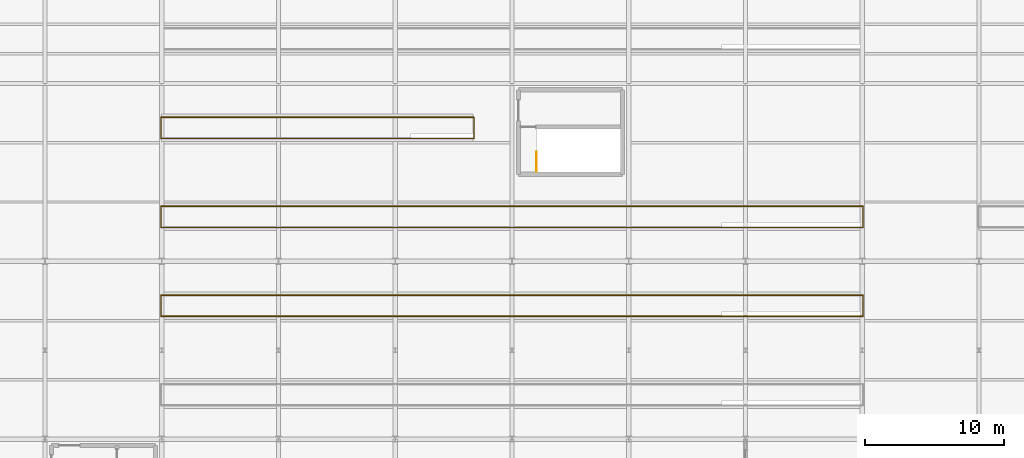
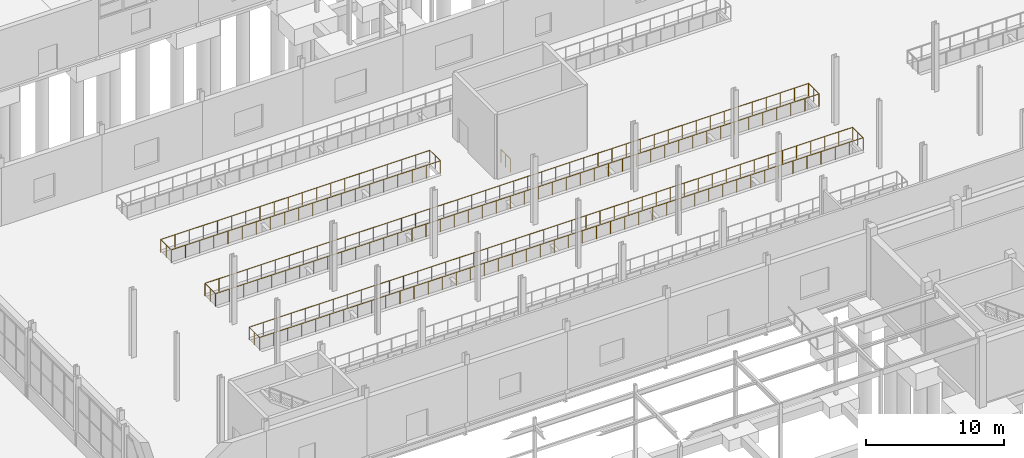
# One storey, part 135 of 139: 4 railings.
"""IFC4 building model written with IfcOpenShell, lengths in metres."""

import ifcopenshell
import ifcopenshell.guid

model = None  # the IFC model being written
_history = None  # IfcOwnerHistory: only IFC2X3 demands one
_inside = {}  # id of a spatial element -> (the spatial element, [elements in it])
_under = {}  # id of a project, library or spatial element -> (it, [spatial elements below it])
_declared = {}  # id of a project -> (the project, [libraries it declares])
_typed = {}  # id of a type object -> (the type object, [elements of that type])
_made_of = {}  # id of a material, layer set ... -> (it, [elements and type objects made of it])


def new_model(schema):
    """Start an empty IFC model of exactly this schema.

    Asked for "IFC4X3", IfcOpenShell would pick the latest addendum, in which some entities
    have other attributes; the version numbers below select the first issue.
    IFC2X3 requires an IfcOwnerHistory on every rooted entity: one is made here for all.
    """
    global model, _history
    if schema == "IFC4X3":
        model = ifcopenshell.file(schema_version=(4, 3, 0, 0))
    else:
        model = ifcopenshell.file(schema=schema)
    _inside.clear()
    _under.clear()
    _declared.clear()
    _typed.clear()
    _made_of.clear()
    _history = None
    if model.schema == "IFC2X3":
        org = make("IfcOrganization", Name="unknown")
        user = make(
            "IfcPersonAndOrganization",
            ThePerson=make("IfcPerson", FamilyName="unknown"),
            TheOrganization=org,
        )
        app = make(
            "IfcApplication",
            ApplicationDeveloper=org,
            Version="unknown",
            ApplicationFullName="unknown",
            ApplicationIdentifier="unknown",
        )
        _history = make(
            "IfcOwnerHistory",
            OwningUser=user,
            OwningApplication=app,
            ChangeAction="ADDED",
            CreationDate=0,
        )
    return model


def make(cls, **values):
    """One entity of the class cls with the attributes given. An attribute that is None is left unset."""
    return model.create_entity(
        cls, **{name: value for name, value in values.items() if value is not None}
    )


def rooted(cls, **values):
    """An entity with a GlobalId (a new one), such as an element, a storey or a relation."""
    return make(cls, GlobalId=ifcopenshell.guid.new(), OwnerHistory=_history, **values)


def si_unit(unit_type, name, prefix=None):
    """IfcSIUnit, for example si_unit("LENGTHUNIT", "METRE", prefix="MILLI")."""
    return make("IfcSIUnit", UnitType=unit_type, Prefix=prefix, Name=name)


def assignment(units):
    """IfcUnitAssignment: the units of a project."""
    return None if units is None else make("IfcUnitAssignment", Units=units)


def point(xyz):
    """IfcCartesianPoint."""
    return None if xyz is None else make("IfcCartesianPoint", Coordinates=xyz)


def direction(xyz):
    """IfcDirection."""
    return None if xyz is None else make("IfcDirection", DirectionRatios=xyz)


def frame(location, z_axis=None, x_axis=None):
    """IfcAxis2Placement3D, a coordinate frame: its origin and axes. An axis left out is left unset."""
    return make(
        "IfcAxis2Placement3D",
        Location=point(location),
        Axis=direction(z_axis),
        RefDirection=direction(x_axis),
    )


def frame_2d(location, x_axis=None):
    """IfcAxis2Placement2D, a coordinate frame in the plane: its origin and x axis."""
    return make(
        "IfcAxis2Placement2D", Location=point(location), RefDirection=direction(x_axis)
    )


def origin():
    """The frame at (0, 0, 0) with its axes left unset."""
    return frame((0.0, 0.0, 0.0))


def origin_2d():
    """The frame at (0, 0) in the plane with its x axis left unset."""
    return frame_2d((0.0, 0.0))


def place(relative_to, where):
    """IfcLocalPlacement: puts the frame where relative to a parent placement (None: the world)."""
    return make(
        "IfcLocalPlacement", PlacementRelTo=relative_to, RelativePlacement=where
    )


def context(
    kind, dimensions, precision=None, world=None, true_north=None, identifier=None
):
    """IfcGeometricRepresentationContext, for example the 3D "Model" context."""
    return make(
        "IfcGeometricRepresentationContext",
        ContextIdentifier=identifier,
        ContextType=kind,
        CoordinateSpaceDimension=dimensions,
        Precision=precision,
        WorldCoordinateSystem=world,
        TrueNorth=true_north,
    )


def subcontext(parent, identifier, kind, view, scale=None):
    """IfcGeometricRepresentationSubContext, for example "Body" below "Model"."""
    return make(
        "IfcGeometricRepresentationSubContext",
        ContextIdentifier=identifier,
        ContextType=kind,
        ParentContext=parent,
        TargetScale=scale,
        TargetView=view,
    )


def project(units=None, contexts=None):
    """IfcProject with its units and contexts."""
    return rooted(
        "IfcProject",
        Name="project",
        RepresentationContexts=contexts,
        UnitsInContext=assignment(units),
    )


def spatial(cls, under=None, at=None, **own):
    """A site, building, storey or space (cls), placed at a placement, below another one or the project."""
    s = rooted(cls, ObjectPlacement=at, **own)
    if under is not None:
        _under.setdefault(under.id(), (under, []))[1].append(s)
    return s


def profile(cls, at=None, kind="AREA", **sizes):
    """A parametric profile (cls). Its sizes go by their IFC names, for example OverallWidth=200.0."""
    return make(cls, ProfileType=kind, Position=at, **sizes)


def circle(**sizes):
    """IfcCircleProfileDef."""
    return profile("IfcCircleProfileDef", **sizes)


def extrude(swept, where, along, depth):
    """IfcExtrudedAreaSolid: the profile swept, set in the frame where, extruded along a direction by depth."""
    return make(
        "IfcExtrudedAreaSolid",
        SweptArea=swept,
        Position=where,
        ExtrudedDirection=direction(along),
        Depth=depth,
    )


def shape(context_of_items, identifier, shape_type, items):
    """IfcShapeRepresentation: the items that make up one representation, for example the "Body"."""
    return make(
        "IfcShapeRepresentation",
        ContextOfItems=context_of_items,
        RepresentationIdentifier=identifier,
        RepresentationType=shape_type,
        Items=items,
    )


def material(Name=None, Category=None):
    """IfcMaterial."""
    return make("IfcMaterial", Name=Name, Category=Category)


def made_of(thing, what):
    """Note that an element or type object is made of a material, layer set ...; save() writes the relation."""
    if what is not None:
        _made_of.setdefault(what.id(), (what, []))[1].append(thing)
    return thing


def type_object(cls, material=None, **own):
    """A type object (cls), such as IfcWallType, which elements share."""
    return made_of(rooted(cls, **own), material)


def element(
    cls,
    number,
    at=None,
    inside=None,
    cuts=None,
    type_object=None,
    material=None,
    context=None,
    identifier="Body",
    shape_type=None,
    held_by="IfcProductDefinitionShape",
    body=None,
    shapes=None,
    **own,
):
    """One element of the class cls, such as IfcWall. Its Tag is "e" and its number.

    at: its placement. inside: the storey or other place that contains it. cuts: it is an
    opening in that element (IfcRelVoidsElement). A single representation is given by context,
    identifier, shape_type and body (its items); several are given by shapes. held_by: the class
    of the entity that holds the representations. save() writes the other relations.
    """
    e = rooted(cls, Tag="e%d" % number, ObjectPlacement=at, **own)
    if body is not None:
        shapes = [shape(context, identifier, shape_type, body)]
    if shapes is not None:
        e.Representation = make(held_by, Representations=shapes)
    if inside is not None:
        _inside.setdefault(inside.id(), (inside, []))[1].append(e)
    if cuts is not None:
        rooted(
            "IfcRelVoidsElement", RelatingBuildingElement=cuts, RelatedOpeningElement=e
        )
    if type_object is not None:
        _typed.setdefault(type_object.id(), (type_object, []))[1].append(e)
    return made_of(e, material)


def aggregate(whole, parts):
    """IfcRelAggregates: a whole, such as a stair, and the parts it consists of."""
    return rooted("IfcRelAggregates", RelatingObject=whole, RelatedObjects=parts)


def save(model, path):
    """Write the relations noted so far, then the file.

    IfcRelAggregates (storeys below a building ...), IfcRelContainedInSpatialStructure (elements
    in a storey), IfcRelDefinesByType, IfcRelAssociatesMaterial and IfcRelDeclares: one each for
    every whole, place, type object, material and project.
    """
    for whole, parts in _under.values():
        aggregate(whole, parts)
    for where, things in _inside.values():
        rooted(
            "IfcRelContainedInSpatialStructure",
            RelatedElements=things,
            RelatingStructure=where,
        )
    for kind, things in _typed.values():
        rooted("IfcRelDefinesByType", RelatedObjects=things, RelatingType=kind)
    for what, things in _made_of.values():
        rooted("IfcRelAssociatesMaterial", RelatedObjects=things, RelatingMaterial=what)
    for by, libraries in _declared.values():
        rooted("IfcRelDeclares", RelatingContext=by, RelatedDefinitions=libraries)
    model.write(path)


model = new_model("IFC4")

# Units and contexts
model_context = context("Model", 3, precision=1e-05, world=origin(), true_north=direction((0.0, 1.0)))
body_context = subcontext(model_context, "Body", "Model", "MODEL_VIEW")
ifc_project = project(units=[si_unit("LENGTHUNIT", "METRE"), si_unit("AREAUNIT", "SQUARE_METRE"), si_unit("VOLUMEUNIT", "CUBIC_METRE"), si_unit("PLANEANGLEUNIT", "RADIAN"), si_unit("MASSUNIT", "GRAM", prefix="KILO")], contexts=[model_context])

# Site, building, storey
site_placement = place(None, origin())
site = spatial("IfcSite", under=ifc_project, at=site_placement, CompositionType="ELEMENT")
building_placement = place(site_placement, origin())
building = spatial("IfcBuilding", under=site, at=building_placement, Name="Kazenagashi Tramway Depot", CompositionType="ELEMENT")
storey_placement = place(building_placement, origin())
storey = spatial("IfcBuildingStorey", under=building, at=storey_placement, Name="L01", CompositionType="ELEMENT", Elevation=0.0)

# Railings
ifc_material = material(Name="Galvanised Painted Steel Balustrade", Category="steel")
railing_type = type_object("IfcRailingType", Name="GR-01", PredefinedType="GUARDRAIL", material=ifc_material)
railing_1_placement = place(storey_placement, frame((61.54, 31.74, 0.0)))
element("IfcRailing", 1, at=railing_1_placement, inside=storey, type_object=railing_type, Name="Inspection Pit 2 Perimeter Guardrail", PredefinedType="GUARDRAIL", context=body_context, shape_type="SweptSolid", body=[
    extrude(circle(Radius=0.024, at=origin_2d()), frame((0.0, 0.0, 1.126), z_axis=(1.0, 0.0, 0.0), x_axis=(0.0, 1.0, 0.0)), (0.0, 0.0, 1.0), 50.52),
    extrude(circle(Radius=0.024, at=origin_2d()), frame((50.52, 0.0, 1.126), z_axis=(0.0, 1.0, 0.0), x_axis=(-1.0, 0.0, 0.0)), (0.0, 0.0, 1.0), 1.52),
    extrude(circle(Radius=0.024, at=origin_2d()), frame((50.52, 1.52, 1.126), z_axis=(-1.0, 0.0, 0.0), x_axis=(0.0, -1.0, 0.0)), (0.0, 0.0, 1.0), 50.52),
    extrude(circle(Radius=0.024, at=origin_2d()), frame((0.0, 1.52, 1.126), z_axis=(0.0, -1.0, 0.0), x_axis=(1.0, 0.0, 0.0)), (0.0, 0.0, 1.0), 1.52),
    extrude(circle(Radius=0.021, at=origin_2d()), origin(), (0.0, 0.0, 1.0), 1.102),
    extrude(circle(Radius=0.021, at=origin_2d()), frame((1.174884, 0.0, 0.0)), (0.0, 0.0, 1.0), 1.102),
    extrude(circle(Radius=0.021, at=origin_2d()), frame((2.349767, 0.0, 0.0)), (0.0, 0.0, 1.0), 1.102),
    extrude(circle(Radius=0.021, at=origin_2d()), frame((3.524651, 0.0, 0.0)), (0.0, 0.0, 1.0), 1.102),
    extrude(circle(Radius=0.021, at=origin_2d()), frame((4.699535, 0.0, 0.0)), (0.0, 0.0, 1.0), 1.102),
    extrude(circle(Radius=0.021, at=origin_2d()), frame((5.874419, 0.0, 0.0)), (0.0, 0.0, 1.0), 1.102),
    extrude(circle(Radius=0.021, at=origin_2d()), frame((7.049302, 0.0, 0.0)), (0.0, 0.0, 1.0), 1.102),
    extrude(circle(Radius=0.021, at=origin_2d()), frame((8.224186, 0.0, 0.0)), (0.0, 0.0, 1.0), 1.102),
    extrude(circle(Radius=0.021, at=origin_2d()), frame((9.39907, 0.0, 0.0)), (0.0, 0.0, 1.0), 1.102),
    extrude(circle(Radius=0.021, at=origin_2d()), frame((10.573953, 0.0, 0.0)), (0.0, 0.0, 1.0), 1.102),
    extrude(circle(Radius=0.021, at=origin_2d()), frame((11.748837, 0.0, 0.0)), (0.0, 0.0, 1.0), 1.102),
    extrude(circle(Radius=0.021, at=origin_2d()), frame((12.923721, 0.0, 0.0)), (0.0, 0.0, 1.0), 1.102),
    extrude(circle(Radius=0.021, at=origin_2d()), frame((14.098605, 0.0, 0.0)), (0.0, 0.0, 1.0), 1.102),
    extrude(circle(Radius=0.021, at=origin_2d()), frame((15.273488, 0.0, 0.0)), (0.0, 0.0, 1.0), 1.102),
    extrude(circle(Radius=0.021, at=origin_2d()), frame((16.448372, 0.0, 0.0)), (0.0, 0.0, 1.0), 1.102),
    extrude(circle(Radius=0.021, at=origin_2d()), frame((17.623256, 0.0, 0.0)), (0.0, 0.0, 1.0), 1.102),
    extrude(circle(Radius=0.021, at=origin_2d()), frame((18.79814, 0.0, 0.0)), (0.0, 0.0, 1.0), 1.102),
    extrude(circle(Radius=0.021, at=origin_2d()), frame((19.973023, 0.0, 0.0)), (0.0, 0.0, 1.0), 1.102),
    extrude(circle(Radius=0.021, at=origin_2d()), frame((21.147907, 0.0, 0.0)), (0.0, 0.0, 1.0), 1.102),
    extrude(circle(Radius=0.021, at=origin_2d()), frame((22.322791, 0.0, 0.0)), (0.0, 0.0, 1.0), 1.102),
    extrude(circle(Radius=0.021, at=origin_2d()), frame((23.497674, 0.0, 0.0)), (0.0, 0.0, 1.0), 1.102),
    extrude(circle(Radius=0.021, at=origin_2d()), frame((24.672558, 0.0, 0.0)), (0.0, 0.0, 1.0), 1.102),
    extrude(circle(Radius=0.021, at=origin_2d()), frame((25.847442, 0.0, 0.0)), (0.0, 0.0, 1.0), 1.102),
    extrude(circle(Radius=0.021, at=origin_2d()), frame((27.022326, 0.0, 0.0)), (0.0, 0.0, 1.0), 1.102),
    extrude(circle(Radius=0.021, at=origin_2d()), frame((28.197209, 0.0, 0.0)), (0.0, 0.0, 1.0), 1.102),
    extrude(circle(Radius=0.021, at=origin_2d()), frame((29.372093, 0.0, 0.0)), (0.0, 0.0, 1.0), 1.102),
    extrude(circle(Radius=0.021, at=origin_2d()), frame((30.546977, 0.0, 0.0)), (0.0, 0.0, 1.0), 1.102),
    extrude(circle(Radius=0.021, at=origin_2d()), frame((31.72186, 0.0, 0.0)), (0.0, 0.0, 1.0), 1.102),
    extrude(circle(Radius=0.021, at=origin_2d()), frame((32.896744, 0.0, 0.0)), (0.0, 0.0, 1.0), 1.102),
    extrude(circle(Radius=0.021, at=origin_2d()), frame((34.071628, 0.0, 0.0)), (0.0, 0.0, 1.0), 1.102),
    extrude(circle(Radius=0.021, at=origin_2d()), frame((35.246512, 0.0, 0.0)), (0.0, 0.0, 1.0), 1.102),
    extrude(circle(Radius=0.021, at=origin_2d()), frame((36.421395, 0.0, 0.0)), (0.0, 0.0, 1.0), 1.102),
    extrude(circle(Radius=0.021, at=origin_2d()), frame((37.596279, 0.0, 0.0)), (0.0, 0.0, 1.0), 1.102),
    extrude(circle(Radius=0.021, at=origin_2d()), frame((38.771163, 0.0, 0.0)), (0.0, 0.0, 1.0), 1.102),
    extrude(circle(Radius=0.021, at=origin_2d()), frame((39.946047, 0.0, 0.0)), (0.0, 0.0, 1.0), 1.102),
    extrude(circle(Radius=0.021, at=origin_2d()), frame((41.12093, 0.0, 0.0)), (0.0, 0.0, 1.0), 1.102),
    extrude(circle(Radius=0.021, at=origin_2d()), frame((42.295814, 0.0, 0.0)), (0.0, 0.0, 1.0), 1.102),
    extrude(circle(Radius=0.021, at=origin_2d()), frame((43.470698, 0.0, 0.0)), (0.0, 0.0, 1.0), 1.102),
    extrude(circle(Radius=0.021, at=origin_2d()), frame((44.645581, 0.0, 0.0)), (0.0, 0.0, 1.0), 1.102),
    extrude(circle(Radius=0.021, at=origin_2d()), frame((45.820465, 0.0, 0.0)), (0.0, 0.0, 1.0), 1.102),
    extrude(circle(Radius=0.021, at=origin_2d()), frame((46.995349, 0.0, 0.0)), (0.0, 0.0, 1.0), 1.102),
    extrude(circle(Radius=0.021, at=origin_2d()), frame((48.170233, 0.0, 0.0)), (0.0, 0.0, 1.0), 1.102),
    extrude(circle(Radius=0.021, at=origin_2d()), frame((49.345116, 0.0, 0.0)), (0.0, 0.0, 1.0), 1.102),
    extrude(circle(Radius=0.021, at=origin_2d()), frame((50.52, 0.0, 0.0)), (0.0, 0.0, 1.0), 1.102),
    extrude(circle(Radius=0.021, at=origin_2d()), frame((50.52, 0.76, 0.0)), (0.0, 0.0, 1.0), 1.102),
    extrude(circle(Radius=0.021, at=origin_2d()), frame((50.52, 1.52, 0.0)), (0.0, 0.0, 1.0), 1.102),
    extrude(circle(Radius=0.021, at=origin_2d()), frame((49.345116, 1.52, 0.0)), (0.0, 0.0, 1.0), 1.102),
    extrude(circle(Radius=0.021, at=origin_2d()), frame((48.170233, 1.52, 0.0)), (0.0, 0.0, 1.0), 1.102),
    extrude(circle(Radius=0.021, at=origin_2d()), frame((46.995349, 1.52, 0.0)), (0.0, 0.0, 1.0), 1.102),
    extrude(circle(Radius=0.021, at=origin_2d()), frame((45.820465, 1.52, 0.0)), (0.0, 0.0, 1.0), 1.102),
    extrude(circle(Radius=0.021, at=origin_2d()), frame((44.645581, 1.52, 0.0)), (0.0, 0.0, 1.0), 1.102),
    extrude(circle(Radius=0.021, at=origin_2d()), frame((43.470698, 1.52, 0.0)), (0.0, 0.0, 1.0), 1.102),
    extrude(circle(Radius=0.021, at=origin_2d()), frame((42.295814, 1.52, 0.0)), (0.0, 0.0, 1.0), 1.102),
    extrude(circle(Radius=0.021, at=origin_2d()), frame((41.12093, 1.52, 0.0)), (0.0, 0.0, 1.0), 1.102),
    extrude(circle(Radius=0.021, at=origin_2d()), frame((39.946047, 1.52, 0.0)), (0.0, 0.0, 1.0), 1.102),
    extrude(circle(Radius=0.021, at=origin_2d()), frame((38.771163, 1.52, 0.0)), (0.0, 0.0, 1.0), 1.102),
    extrude(circle(Radius=0.021, at=origin_2d()), frame((37.596279, 1.52, 0.0)), (0.0, 0.0, 1.0), 1.102),
    extrude(circle(Radius=0.021, at=origin_2d()), frame((36.421395, 1.52, 0.0)), (0.0, 0.0, 1.0), 1.102),
    extrude(circle(Radius=0.021, at=origin_2d()), frame((35.246512, 1.52, 0.0)), (0.0, 0.0, 1.0), 1.102),
    extrude(circle(Radius=0.021, at=origin_2d()), frame((34.071628, 1.52, 0.0)), (0.0, 0.0, 1.0), 1.102),
    extrude(circle(Radius=0.021, at=origin_2d()), frame((32.896744, 1.52, 0.0)), (0.0, 0.0, 1.0), 1.102),
    extrude(circle(Radius=0.021, at=origin_2d()), frame((31.72186, 1.52, 0.0)), (0.0, 0.0, 1.0), 1.102),
    extrude(circle(Radius=0.021, at=origin_2d()), frame((30.546977, 1.52, 0.0)), (0.0, 0.0, 1.0), 1.102),
    extrude(circle(Radius=0.021, at=origin_2d()), frame((29.372093, 1.52, 0.0)), (0.0, 0.0, 1.0), 1.102),
    extrude(circle(Radius=0.021, at=origin_2d()), frame((28.197209, 1.52, 0.0)), (0.0, 0.0, 1.0), 1.102),
    extrude(circle(Radius=0.021, at=origin_2d()), frame((27.022326, 1.52, 0.0)), (0.0, 0.0, 1.0), 1.102),
    extrude(circle(Radius=0.021, at=origin_2d()), frame((25.847442, 1.52, 0.0)), (0.0, 0.0, 1.0), 1.102),
    extrude(circle(Radius=0.021, at=origin_2d()), frame((24.672558, 1.52, 0.0)), (0.0, 0.0, 1.0), 1.102),
    extrude(circle(Radius=0.021, at=origin_2d()), frame((23.497674, 1.52, 0.0)), (0.0, 0.0, 1.0), 1.102),
    extrude(circle(Radius=0.021, at=origin_2d()), frame((22.322791, 1.52, 0.0)), (0.0, 0.0, 1.0), 1.102),
    extrude(circle(Radius=0.021, at=origin_2d()), frame((21.147907, 1.52, 0.0)), (0.0, 0.0, 1.0), 1.102),
    extrude(circle(Radius=0.021, at=origin_2d()), frame((19.973023, 1.52, 0.0)), (0.0, 0.0, 1.0), 1.102),
    extrude(circle(Radius=0.021, at=origin_2d()), frame((18.79814, 1.52, 0.0)), (0.0, 0.0, 1.0), 1.102),
    extrude(circle(Radius=0.021, at=origin_2d()), frame((17.623256, 1.52, 0.0)), (0.0, 0.0, 1.0), 1.102),
    extrude(circle(Radius=0.021, at=origin_2d()), frame((16.448372, 1.52, 0.0)), (0.0, 0.0, 1.0), 1.102),
    extrude(circle(Radius=0.021, at=origin_2d()), frame((15.273488, 1.52, 0.0)), (0.0, 0.0, 1.0), 1.102),
    extrude(circle(Radius=0.021, at=origin_2d()), frame((14.098605, 1.52, 0.0)), (0.0, 0.0, 1.0), 1.102),
    extrude(circle(Radius=0.021, at=origin_2d()), frame((12.923721, 1.52, 0.0)), (0.0, 0.0, 1.0), 1.102),
    extrude(circle(Radius=0.021, at=origin_2d()), frame((11.748837, 1.52, 0.0)), (0.0, 0.0, 1.0), 1.102),
    extrude(circle(Radius=0.021, at=origin_2d()), frame((10.573953, 1.52, 0.0)), (0.0, 0.0, 1.0), 1.102),
    extrude(circle(Radius=0.021, at=origin_2d()), frame((9.39907, 1.52, 0.0)), (0.0, 0.0, 1.0), 1.102),
    extrude(circle(Radius=0.021, at=origin_2d()), frame((8.224186, 1.52, 0.0)), (0.0, 0.0, 1.0), 1.102),
    extrude(circle(Radius=0.021, at=origin_2d()), frame((7.049302, 1.52, 0.0)), (0.0, 0.0, 1.0), 1.102),
    extrude(circle(Radius=0.021, at=origin_2d()), frame((5.874419, 1.52, 0.0)), (0.0, 0.0, 1.0), 1.102),
    extrude(circle(Radius=0.021, at=origin_2d()), frame((4.699535, 1.52, 0.0)), (0.0, 0.0, 1.0), 1.102),
    extrude(circle(Radius=0.021, at=origin_2d()), frame((3.524651, 1.52, 0.0)), (0.0, 0.0, 1.0), 1.102),
    extrude(circle(Radius=0.021, at=origin_2d()), frame((2.349767, 1.52, 0.0)), (0.0, 0.0, 1.0), 1.102),
    extrude(circle(Radius=0.021, at=origin_2d()), frame((1.174884, 1.52, 0.0)), (0.0, 0.0, 1.0), 1.102),
    extrude(circle(Radius=0.021, at=origin_2d()), frame((0.0, 1.52, 0.0)), (0.0, 0.0, 1.0), 1.102),
    extrude(circle(Radius=0.021, at=origin_2d()), frame((0.0, 0.76, 0.0)), (0.0, 0.0, 1.0), 1.102),
])
railing_2_placement = place(storey_placement, frame((61.54, 38.14, 0.0)))
element("IfcRailing", 2, at=railing_2_placement, inside=storey, type_object=railing_type, Name="Inspection Pit 3 Perimeter Guardrail", PredefinedType="GUARDRAIL", context=body_context, shape_type="SweptSolid", body=[
    extrude(circle(Radius=0.024, at=origin_2d()), frame((0.0, 0.0, 1.126), z_axis=(1.0, 0.0, 0.0), x_axis=(0.0, 1.0, 0.0)), (0.0, 0.0, 1.0), 50.52),
    extrude(circle(Radius=0.024, at=origin_2d()), frame((50.52, 0.0, 1.126), z_axis=(0.0, 1.0, 0.0), x_axis=(-1.0, 0.0, 0.0)), (0.0, 0.0, 1.0), 1.52),
    extrude(circle(Radius=0.024, at=origin_2d()), frame((50.52, 1.52, 1.126), z_axis=(-1.0, 0.0, 0.0), x_axis=(0.0, -1.0, 0.0)), (0.0, 0.0, 1.0), 50.52),
    extrude(circle(Radius=0.024, at=origin_2d()), frame((0.0, 1.52, 1.126), z_axis=(0.0, -1.0, 0.0), x_axis=(1.0, 0.0, 0.0)), (0.0, 0.0, 1.0), 1.52),
    extrude(circle(Radius=0.021, at=origin_2d()), origin(), (0.0, 0.0, 1.0), 1.102),
    extrude(circle(Radius=0.021, at=origin_2d()), frame((1.174884, 0.0, 0.0)), (0.0, 0.0, 1.0), 1.102),
    extrude(circle(Radius=0.021, at=origin_2d()), frame((2.349767, 0.0, 0.0)), (0.0, 0.0, 1.0), 1.102),
    extrude(circle(Radius=0.021, at=origin_2d()), frame((3.524651, 0.0, 0.0)), (0.0, 0.0, 1.0), 1.102),
    extrude(circle(Radius=0.021, at=origin_2d()), frame((4.699535, 0.0, 0.0)), (0.0, 0.0, 1.0), 1.102),
    extrude(circle(Radius=0.021, at=origin_2d()), frame((5.874419, 0.0, 0.0)), (0.0, 0.0, 1.0), 1.102),
    extrude(circle(Radius=0.021, at=origin_2d()), frame((7.049302, 0.0, 0.0)), (0.0, 0.0, 1.0), 1.102),
    extrude(circle(Radius=0.021, at=origin_2d()), frame((8.224186, 0.0, 0.0)), (0.0, 0.0, 1.0), 1.102),
    extrude(circle(Radius=0.021, at=origin_2d()), frame((9.39907, 0.0, 0.0)), (0.0, 0.0, 1.0), 1.102),
    extrude(circle(Radius=0.021, at=origin_2d()), frame((10.573953, 0.0, 0.0)), (0.0, 0.0, 1.0), 1.102),
    extrude(circle(Radius=0.021, at=origin_2d()), frame((11.748837, 0.0, 0.0)), (0.0, 0.0, 1.0), 1.102),
    extrude(circle(Radius=0.021, at=origin_2d()), frame((12.923721, 0.0, 0.0)), (0.0, 0.0, 1.0), 1.102),
    extrude(circle(Radius=0.021, at=origin_2d()), frame((14.098605, 0.0, 0.0)), (0.0, 0.0, 1.0), 1.102),
    extrude(circle(Radius=0.021, at=origin_2d()), frame((15.273488, 0.0, 0.0)), (0.0, 0.0, 1.0), 1.102),
    extrude(circle(Radius=0.021, at=origin_2d()), frame((16.448372, 0.0, 0.0)), (0.0, 0.0, 1.0), 1.102),
    extrude(circle(Radius=0.021, at=origin_2d()), frame((17.623256, 0.0, 0.0)), (0.0, 0.0, 1.0), 1.102),
    extrude(circle(Radius=0.021, at=origin_2d()), frame((18.79814, 0.0, 0.0)), (0.0, 0.0, 1.0), 1.102),
    extrude(circle(Radius=0.021, at=origin_2d()), frame((19.973023, 0.0, 0.0)), (0.0, 0.0, 1.0), 1.102),
    extrude(circle(Radius=0.021, at=origin_2d()), frame((21.147907, 0.0, 0.0)), (0.0, 0.0, 1.0), 1.102),
    extrude(circle(Radius=0.021, at=origin_2d()), frame((22.322791, 0.0, 0.0)), (0.0, 0.0, 1.0), 1.102),
    extrude(circle(Radius=0.021, at=origin_2d()), frame((23.497674, 0.0, 0.0)), (0.0, 0.0, 1.0), 1.102),
    extrude(circle(Radius=0.021, at=origin_2d()), frame((24.672558, 0.0, 0.0)), (0.0, 0.0, 1.0), 1.102),
    extrude(circle(Radius=0.021, at=origin_2d()), frame((25.847442, 0.0, 0.0)), (0.0, 0.0, 1.0), 1.102),
    extrude(circle(Radius=0.021, at=origin_2d()), frame((27.022326, 0.0, 0.0)), (0.0, 0.0, 1.0), 1.102),
    extrude(circle(Radius=0.021, at=origin_2d()), frame((28.197209, 0.0, 0.0)), (0.0, 0.0, 1.0), 1.102),
    extrude(circle(Radius=0.021, at=origin_2d()), frame((29.372093, 0.0, 0.0)), (0.0, 0.0, 1.0), 1.102),
    extrude(circle(Radius=0.021, at=origin_2d()), frame((30.546977, 0.0, 0.0)), (0.0, 0.0, 1.0), 1.102),
    extrude(circle(Radius=0.021, at=origin_2d()), frame((31.72186, 0.0, 0.0)), (0.0, 0.0, 1.0), 1.102),
    extrude(circle(Radius=0.021, at=origin_2d()), frame((32.896744, 0.0, 0.0)), (0.0, 0.0, 1.0), 1.102),
    extrude(circle(Radius=0.021, at=origin_2d()), frame((34.071628, 0.0, 0.0)), (0.0, 0.0, 1.0), 1.102),
    extrude(circle(Radius=0.021, at=origin_2d()), frame((35.246512, 0.0, 0.0)), (0.0, 0.0, 1.0), 1.102),
    extrude(circle(Radius=0.021, at=origin_2d()), frame((36.421395, 0.0, 0.0)), (0.0, 0.0, 1.0), 1.102),
    extrude(circle(Radius=0.021, at=origin_2d()), frame((37.596279, 0.0, 0.0)), (0.0, 0.0, 1.0), 1.102),
    extrude(circle(Radius=0.021, at=origin_2d()), frame((38.771163, 0.0, 0.0)), (0.0, 0.0, 1.0), 1.102),
    extrude(circle(Radius=0.021, at=origin_2d()), frame((39.946047, 0.0, 0.0)), (0.0, 0.0, 1.0), 1.102),
    extrude(circle(Radius=0.021, at=origin_2d()), frame((41.12093, 0.0, 0.0)), (0.0, 0.0, 1.0), 1.102),
    extrude(circle(Radius=0.021, at=origin_2d()), frame((42.295814, 0.0, 0.0)), (0.0, 0.0, 1.0), 1.102),
    extrude(circle(Radius=0.021, at=origin_2d()), frame((43.470698, 0.0, 0.0)), (0.0, 0.0, 1.0), 1.102),
    extrude(circle(Radius=0.021, at=origin_2d()), frame((44.645581, 0.0, 0.0)), (0.0, 0.0, 1.0), 1.102),
    extrude(circle(Radius=0.021, at=origin_2d()), frame((45.820465, 0.0, 0.0)), (0.0, 0.0, 1.0), 1.102),
    extrude(circle(Radius=0.021, at=origin_2d()), frame((46.995349, 0.0, 0.0)), (0.0, 0.0, 1.0), 1.102),
    extrude(circle(Radius=0.021, at=origin_2d()), frame((48.170233, 0.0, 0.0)), (0.0, 0.0, 1.0), 1.102),
    extrude(circle(Radius=0.021, at=origin_2d()), frame((49.345116, 0.0, 0.0)), (0.0, 0.0, 1.0), 1.102),
    extrude(circle(Radius=0.021, at=origin_2d()), frame((50.52, 0.0, 0.0)), (0.0, 0.0, 1.0), 1.102),
    extrude(circle(Radius=0.021, at=origin_2d()), frame((50.52, 0.76, 0.0)), (0.0, 0.0, 1.0), 1.102),
    extrude(circle(Radius=0.021, at=origin_2d()), frame((50.52, 1.52, 0.0)), (0.0, 0.0, 1.0), 1.102),
    extrude(circle(Radius=0.021, at=origin_2d()), frame((49.345116, 1.52, 0.0)), (0.0, 0.0, 1.0), 1.102),
    extrude(circle(Radius=0.021, at=origin_2d()), frame((48.170233, 1.52, 0.0)), (0.0, 0.0, 1.0), 1.102),
    extrude(circle(Radius=0.021, at=origin_2d()), frame((46.995349, 1.52, 0.0)), (0.0, 0.0, 1.0), 1.102),
    extrude(circle(Radius=0.021, at=origin_2d()), frame((45.820465, 1.52, 0.0)), (0.0, 0.0, 1.0), 1.102),
    extrude(circle(Radius=0.021, at=origin_2d()), frame((44.645581, 1.52, 0.0)), (0.0, 0.0, 1.0), 1.102),
    extrude(circle(Radius=0.021, at=origin_2d()), frame((43.470698, 1.52, 0.0)), (0.0, 0.0, 1.0), 1.102),
    extrude(circle(Radius=0.021, at=origin_2d()), frame((42.295814, 1.52, 0.0)), (0.0, 0.0, 1.0), 1.102),
    extrude(circle(Radius=0.021, at=origin_2d()), frame((41.12093, 1.52, 0.0)), (0.0, 0.0, 1.0), 1.102),
    extrude(circle(Radius=0.021, at=origin_2d()), frame((39.946047, 1.52, 0.0)), (0.0, 0.0, 1.0), 1.102),
    extrude(circle(Radius=0.021, at=origin_2d()), frame((38.771163, 1.52, 0.0)), (0.0, 0.0, 1.0), 1.102),
    extrude(circle(Radius=0.021, at=origin_2d()), frame((37.596279, 1.52, 0.0)), (0.0, 0.0, 1.0), 1.102),
    extrude(circle(Radius=0.021, at=origin_2d()), frame((36.421395, 1.52, 0.0)), (0.0, 0.0, 1.0), 1.102),
    extrude(circle(Radius=0.021, at=origin_2d()), frame((35.246512, 1.52, 0.0)), (0.0, 0.0, 1.0), 1.102),
    extrude(circle(Radius=0.021, at=origin_2d()), frame((34.071628, 1.52, 0.0)), (0.0, 0.0, 1.0), 1.102),
    extrude(circle(Radius=0.021, at=origin_2d()), frame((32.896744, 1.52, 0.0)), (0.0, 0.0, 1.0), 1.102),
    extrude(circle(Radius=0.021, at=origin_2d()), frame((31.72186, 1.52, 0.0)), (0.0, 0.0, 1.0), 1.102),
    extrude(circle(Radius=0.021, at=origin_2d()), frame((30.546977, 1.52, 0.0)), (0.0, 0.0, 1.0), 1.102),
    extrude(circle(Radius=0.021, at=origin_2d()), frame((29.372093, 1.52, 0.0)), (0.0, 0.0, 1.0), 1.102),
    extrude(circle(Radius=0.021, at=origin_2d()), frame((28.197209, 1.52, 0.0)), (0.0, 0.0, 1.0), 1.102),
    extrude(circle(Radius=0.021, at=origin_2d()), frame((27.022326, 1.52, 0.0)), (0.0, 0.0, 1.0), 1.102),
    extrude(circle(Radius=0.021, at=origin_2d()), frame((25.847442, 1.52, 0.0)), (0.0, 0.0, 1.0), 1.102),
    extrude(circle(Radius=0.021, at=origin_2d()), frame((24.672558, 1.52, 0.0)), (0.0, 0.0, 1.0), 1.102),
    extrude(circle(Radius=0.021, at=origin_2d()), frame((23.497674, 1.52, 0.0)), (0.0, 0.0, 1.0), 1.102),
    extrude(circle(Radius=0.021, at=origin_2d()), frame((22.322791, 1.52, 0.0)), (0.0, 0.0, 1.0), 1.102),
    extrude(circle(Radius=0.021, at=origin_2d()), frame((21.147907, 1.52, 0.0)), (0.0, 0.0, 1.0), 1.102),
    extrude(circle(Radius=0.021, at=origin_2d()), frame((19.973023, 1.52, 0.0)), (0.0, 0.0, 1.0), 1.102),
    extrude(circle(Radius=0.021, at=origin_2d()), frame((18.79814, 1.52, 0.0)), (0.0, 0.0, 1.0), 1.102),
    extrude(circle(Radius=0.021, at=origin_2d()), frame((17.623256, 1.52, 0.0)), (0.0, 0.0, 1.0), 1.102),
    extrude(circle(Radius=0.021, at=origin_2d()), frame((16.448372, 1.52, 0.0)), (0.0, 0.0, 1.0), 1.102),
    extrude(circle(Radius=0.021, at=origin_2d()), frame((15.273488, 1.52, 0.0)), (0.0, 0.0, 1.0), 1.102),
    extrude(circle(Radius=0.021, at=origin_2d()), frame((14.098605, 1.52, 0.0)), (0.0, 0.0, 1.0), 1.102),
    extrude(circle(Radius=0.021, at=origin_2d()), frame((12.923721, 1.52, 0.0)), (0.0, 0.0, 1.0), 1.102),
    extrude(circle(Radius=0.021, at=origin_2d()), frame((11.748837, 1.52, 0.0)), (0.0, 0.0, 1.0), 1.102),
    extrude(circle(Radius=0.021, at=origin_2d()), frame((10.573953, 1.52, 0.0)), (0.0, 0.0, 1.0), 1.102),
    extrude(circle(Radius=0.021, at=origin_2d()), frame((9.39907, 1.52, 0.0)), (0.0, 0.0, 1.0), 1.102),
    extrude(circle(Radius=0.021, at=origin_2d()), frame((8.224186, 1.52, 0.0)), (0.0, 0.0, 1.0), 1.102),
    extrude(circle(Radius=0.021, at=origin_2d()), frame((7.049302, 1.52, 0.0)), (0.0, 0.0, 1.0), 1.102),
    extrude(circle(Radius=0.021, at=origin_2d()), frame((5.874419, 1.52, 0.0)), (0.0, 0.0, 1.0), 1.102),
    extrude(circle(Radius=0.021, at=origin_2d()), frame((4.699535, 1.52, 0.0)), (0.0, 0.0, 1.0), 1.102),
    extrude(circle(Radius=0.021, at=origin_2d()), frame((3.524651, 1.52, 0.0)), (0.0, 0.0, 1.0), 1.102),
    extrude(circle(Radius=0.021, at=origin_2d()), frame((2.349767, 1.52, 0.0)), (0.0, 0.0, 1.0), 1.102),
    extrude(circle(Radius=0.021, at=origin_2d()), frame((1.174884, 1.52, 0.0)), (0.0, 0.0, 1.0), 1.102),
    extrude(circle(Radius=0.021, at=origin_2d()), frame((0.0, 1.52, 0.0)), (0.0, 0.0, 1.0), 1.102),
    extrude(circle(Radius=0.021, at=origin_2d()), frame((0.0, 0.76, 0.0)), (0.0, 0.0, 1.0), 1.102),
])
railing_3_placement = place(storey_placement, frame((61.54, 44.54, 0.0)))
element("IfcRailing", 3, at=railing_3_placement, inside=storey, type_object=railing_type, Name="Inspection Pit 4 Perimeter Guardrail", PredefinedType="GUARDRAIL", context=body_context, shape_type="SweptSolid", body=[
    extrude(circle(Radius=0.024, at=origin_2d()), frame((0.0, 0.0, 1.126), z_axis=(1.0, 0.0, 0.0), x_axis=(0.0, 1.0, 0.0)), (0.0, 0.0, 1.0), 22.52),
    extrude(circle(Radius=0.024, at=origin_2d()), frame((22.52, 0.0, 1.126), z_axis=(0.0, 1.0, 0.0), x_axis=(-1.0, 0.0, 0.0)), (0.0, 0.0, 1.0), 1.52),
    extrude(circle(Radius=0.024, at=origin_2d()), frame((22.52, 1.52, 1.126), z_axis=(-1.0, 0.0, 0.0), x_axis=(0.0, -1.0, 0.0)), (0.0, 0.0, 1.0), 22.52),
    extrude(circle(Radius=0.024, at=origin_2d()), frame((0.0, 1.52, 1.126), z_axis=(0.0, -1.0, 0.0), x_axis=(1.0, 0.0, 0.0)), (0.0, 0.0, 1.0), 1.52),
    extrude(circle(Radius=0.021, at=origin_2d()), origin(), (0.0, 0.0, 1.0), 1.102),
    extrude(circle(Radius=0.021, at=origin_2d()), frame((1.185263, 0.0, 0.0)), (0.0, 0.0, 1.0), 1.102),
    extrude(circle(Radius=0.021, at=origin_2d()), frame((2.370526, 0.0, 0.0)), (0.0, 0.0, 1.0), 1.102),
    extrude(circle(Radius=0.021, at=origin_2d()), frame((3.555789, 0.0, 0.0)), (0.0, 0.0, 1.0), 1.102),
    extrude(circle(Radius=0.021, at=origin_2d()), frame((4.741053, 0.0, 0.0)), (0.0, 0.0, 1.0), 1.102),
    extrude(circle(Radius=0.021, at=origin_2d()), frame((5.926316, 0.0, 0.0)), (0.0, 0.0, 1.0), 1.102),
    extrude(circle(Radius=0.021, at=origin_2d()), frame((7.111579, 0.0, 0.0)), (0.0, 0.0, 1.0), 1.102),
    extrude(circle(Radius=0.021, at=origin_2d()), frame((8.296842, 0.0, 0.0)), (0.0, 0.0, 1.0), 1.102),
    extrude(circle(Radius=0.021, at=origin_2d()), frame((9.482105, 0.0, 0.0)), (0.0, 0.0, 1.0), 1.102),
    extrude(circle(Radius=0.021, at=origin_2d()), frame((10.667368, 0.0, 0.0)), (0.0, 0.0, 1.0), 1.102),
    extrude(circle(Radius=0.021, at=origin_2d()), frame((11.852632, 0.0, 0.0)), (0.0, 0.0, 1.0), 1.102),
    extrude(circle(Radius=0.021, at=origin_2d()), frame((13.037895, 0.0, 0.0)), (0.0, 0.0, 1.0), 1.102),
    extrude(circle(Radius=0.021, at=origin_2d()), frame((14.223158, 0.0, 0.0)), (0.0, 0.0, 1.0), 1.102),
    extrude(circle(Radius=0.021, at=origin_2d()), frame((15.408421, 0.0, 0.0)), (0.0, 0.0, 1.0), 1.102),
    extrude(circle(Radius=0.021, at=origin_2d()), frame((16.593684, 0.0, 0.0)), (0.0, 0.0, 1.0), 1.102),
    extrude(circle(Radius=0.021, at=origin_2d()), frame((17.778947, 0.0, 0.0)), (0.0, 0.0, 1.0), 1.102),
    extrude(circle(Radius=0.021, at=origin_2d()), frame((18.964211, 0.0, 0.0)), (0.0, 0.0, 1.0), 1.102),
    extrude(circle(Radius=0.021, at=origin_2d()), frame((20.149474, 0.0, 0.0)), (0.0, 0.0, 1.0), 1.102),
    extrude(circle(Radius=0.021, at=origin_2d()), frame((21.334737, 0.0, 0.0)), (0.0, 0.0, 1.0), 1.102),
    extrude(circle(Radius=0.021, at=origin_2d()), frame((22.52, 0.0, 0.0)), (0.0, 0.0, 1.0), 1.102),
    extrude(circle(Radius=0.021, at=origin_2d()), frame((22.52, 0.76, 0.0)), (0.0, 0.0, 1.0), 1.102),
    extrude(circle(Radius=0.021, at=origin_2d()), frame((22.52, 1.52, 0.0)), (0.0, 0.0, 1.0), 1.102),
    extrude(circle(Radius=0.021, at=origin_2d()), frame((21.334737, 1.52, 0.0)), (0.0, 0.0, 1.0), 1.102),
    extrude(circle(Radius=0.021, at=origin_2d()), frame((20.149474, 1.52, 0.0)), (0.0, 0.0, 1.0), 1.102),
    extrude(circle(Radius=0.021, at=origin_2d()), frame((18.964211, 1.52, 0.0)), (0.0, 0.0, 1.0), 1.102),
    extrude(circle(Radius=0.021, at=origin_2d()), frame((17.778947, 1.52, 0.0)), (0.0, 0.0, 1.0), 1.102),
    extrude(circle(Radius=0.021, at=origin_2d()), frame((16.593684, 1.52, 0.0)), (0.0, 0.0, 1.0), 1.102),
    extrude(circle(Radius=0.021, at=origin_2d()), frame((15.408421, 1.52, 0.0)), (0.0, 0.0, 1.0), 1.102),
    extrude(circle(Radius=0.021, at=origin_2d()), frame((14.223158, 1.52, 0.0)), (0.0, 0.0, 1.0), 1.102),
    extrude(circle(Radius=0.021, at=origin_2d()), frame((13.037895, 1.52, 0.0)), (0.0, 0.0, 1.0), 1.102),
    extrude(circle(Radius=0.021, at=origin_2d()), frame((11.852632, 1.52, 0.0)), (0.0, 0.0, 1.0), 1.102),
    extrude(circle(Radius=0.021, at=origin_2d()), frame((10.667368, 1.52, 0.0)), (0.0, 0.0, 1.0), 1.102),
    extrude(circle(Radius=0.021, at=origin_2d()), frame((9.482105, 1.52, 0.0)), (0.0, 0.0, 1.0), 1.102),
    extrude(circle(Radius=0.021, at=origin_2d()), frame((8.296842, 1.52, 0.0)), (0.0, 0.0, 1.0), 1.102),
    extrude(circle(Radius=0.021, at=origin_2d()), frame((7.111579, 1.52, 0.0)), (0.0, 0.0, 1.0), 1.102),
    extrude(circle(Radius=0.021, at=origin_2d()), frame((5.926316, 1.52, 0.0)), (0.0, 0.0, 1.0), 1.102),
    extrude(circle(Radius=0.021, at=origin_2d()), frame((4.741053, 1.52, 0.0)), (0.0, 0.0, 1.0), 1.102),
    extrude(circle(Radius=0.021, at=origin_2d()), frame((3.555789, 1.52, 0.0)), (0.0, 0.0, 1.0), 1.102),
    extrude(circle(Radius=0.021, at=origin_2d()), frame((2.370526, 1.52, 0.0)), (0.0, 0.0, 1.0), 1.102),
    extrude(circle(Radius=0.021, at=origin_2d()), frame((1.185263, 1.52, 0.0)), (0.0, 0.0, 1.0), 1.102),
    extrude(circle(Radius=0.021, at=origin_2d()), frame((0.0, 1.52, 0.0)), (0.0, 0.0, 1.0), 1.102),
    extrude(circle(Radius=0.021, at=origin_2d()), frame((0.0, 0.76, 0.0)), (0.0, 0.0, 1.0), 1.102),
])
railing_4_placement = place(storey_placement, frame((88.56, 42.17, 0.0)))
element("IfcRailing", 4, at=railing_4_placement, inside=storey, type_object=railing_type, Name="Stairwell ST-22 Arrival Guardrail", PredefinedType="GUARDRAIL", context=body_context, shape_type="SweptSolid", body=[
    extrude(circle(Radius=0.024, at=origin_2d()), frame((0.0, 0.0, 1.156), z_axis=(0.0, 1.0, 0.0), x_axis=(-1.0, 0.0, 0.0)), (0.0, 0.0, 1.0), 1.4),
    extrude(circle(Radius=0.021, at=origin_2d()), origin(), (0.0, 0.0, 1.0), 1.132),
    extrude(circle(Radius=0.021, at=origin_2d()), frame((0.0, 0.7, 0.0)), (0.0, 0.0, 1.0), 1.132),
    extrude(circle(Radius=0.021, at=origin_2d()), frame((0.0, 1.4, 0.0)), (0.0, 0.0, 1.0), 1.132),
])

save(model, "model.ifc")
